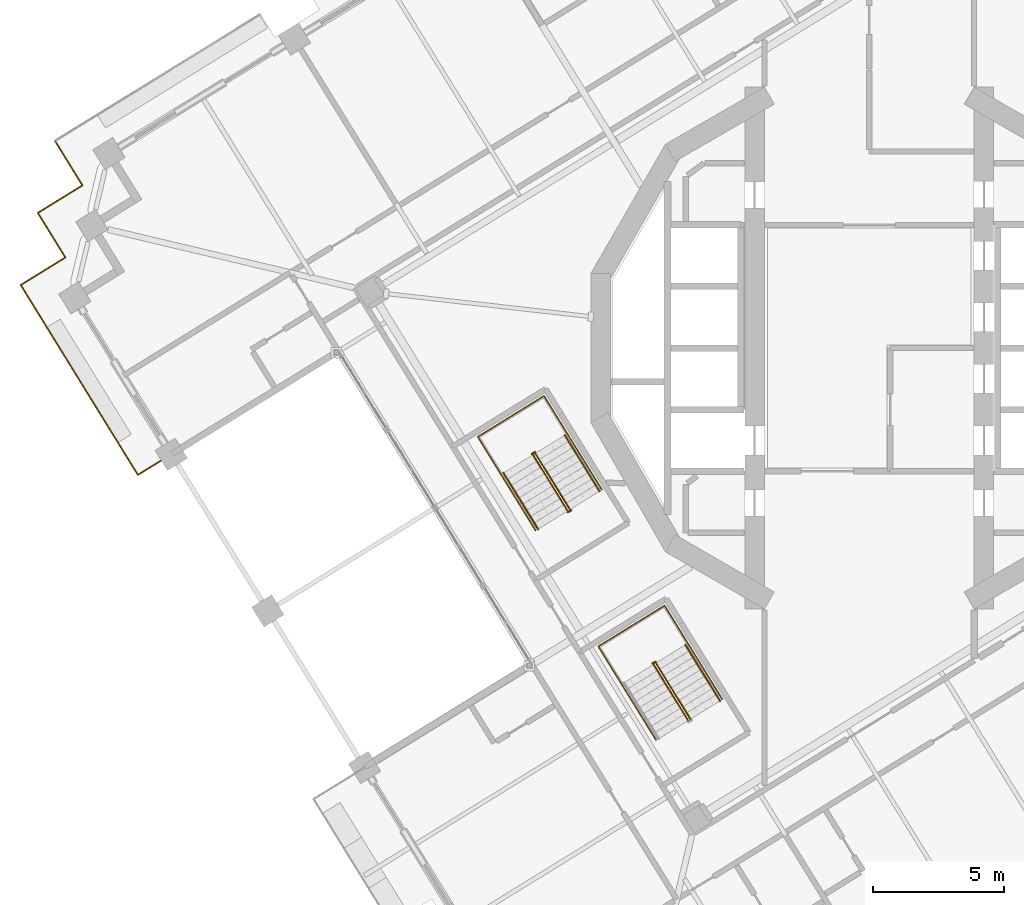
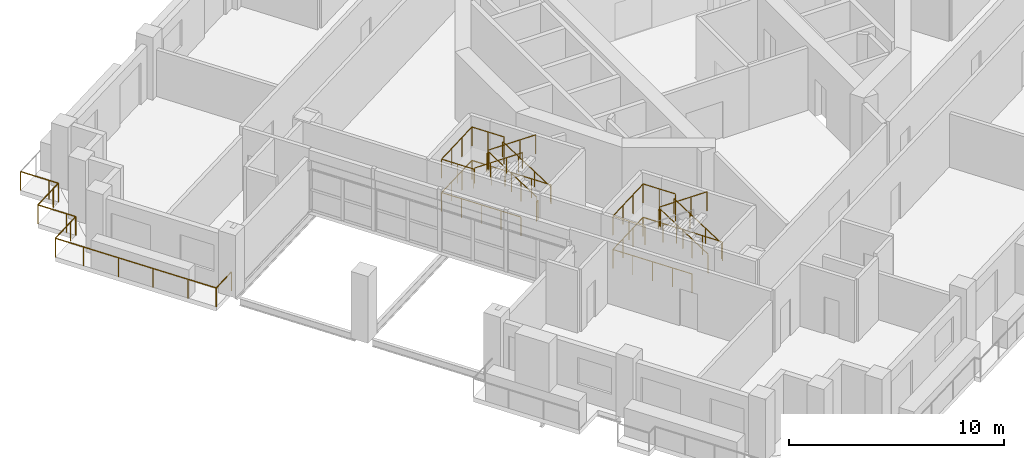
# One storey, part 14 of 20: 13 railings.
"""IFC4 building model written with IfcOpenShell, lengths in metres."""

from ifc_helpers import new_model, si_unit, direction, frame, origin, origin_2d, place, context, subcontext, project, spatial, circle, extrude, material, type_object, element, save


model = new_model("IFC4")

# Units and contexts
model_context = context("Model", 3, precision=1e-05, world=origin(), true_north=direction((0.0, 1.0)))
body_context = subcontext(model_context, "Body", "Model", "MODEL_VIEW")
ifc_project = project(units=[si_unit("LENGTHUNIT", "METRE"), si_unit("AREAUNIT", "SQUARE_METRE"), si_unit("VOLUMEUNIT", "CUBIC_METRE"), si_unit("PLANEANGLEUNIT", "RADIAN"), si_unit("MASSUNIT", "GRAM", prefix="KILO")], contexts=[model_context])

# Site, building, storey
site_placement = place(None, origin())
site = spatial("IfcSite", under=ifc_project, at=site_placement, CompositionType="ELEMENT")
building_placement = place(site_placement, origin())
building = spatial("IfcBuilding", under=site, at=building_placement, Name="Cantera Rosa Tower", CompositionType="ELEMENT")
storey_placement = place(building_placement, frame((0.0, 0.0, 155.199951171875)))
storey = spatial("IfcBuildingStorey", under=building, at=storey_placement, Name="L33", CompositionType="ELEMENT", Elevation=155.199951171875)

# Railings
ifc_material_1 = material(Name="Stainless steel and laminated glass", Category="steel")
railing_type_1 = type_object("IfcRailingType", Name="GUARD 1100", PredefinedType="BALUSTRADE", material=ifc_material_1)
railing_1_placement = place(storey_placement, frame((-26.65283203125, -4.067626953125, 0.0)))
element("IfcRailing", 1, at=railing_1_placement, inside=storey, type_object=railing_type_1, Name="GUARD L33-5", PredefinedType="BALUSTRADE", context=body_context, shape_type="SweptSolid", body=[
    extrude(circle(Radius=0.030029296875, at=origin_2d()), frame((0.0, 0.0, 1.070068359375), z_axis=(-0.851051697566, -0.525081906058, 0.0), x_axis=(0.525081906058, -0.851051697566, 0.0)), (0.0, 0.0, 1.0), 1.47998046875),
    extrude(circle(Radius=0.030029296875, at=origin_2d()), frame((-1.259521484375, -0.777099609375, 1.070068359375), z_axis=(-0.524986950369, 0.851110276017, 0.0), x_axis=(-0.851110276017, -0.524986950369, 0.0)), (0.0, 0.0, 1.0), 1.500244140625),
    extrude(circle(Radius=0.030029296875, at=origin_2d()), frame((-2.047119140625, 0.499755859375, 1.070068359375), z_axis=(-0.524968277683, 0.851121793533, 0.0), x_axis=(-0.851121793533, -0.524968277683, 0.0)), (0.0, 0.0, 1.0), 5.519775390625),
    extrude(circle(Radius=0.030029296875, at=origin_2d()), frame((-4.94482421875, 5.19775390625, 1.070068359375), z_axis=(-0.524986950369, 0.851110276017, 0.0), x_axis=(-0.851110276017, -0.524986950369, 0.0)), (0.0, 0.0, 1.0), 1.500244140625),
    extrude(circle(Radius=0.030029296875, at=origin_2d()), frame((-5.732421875, 6.474609375, 1.070068359375), z_axis=(0.85118298814, 0.524869051004, 0.0), x_axis=(-0.524869051004, 0.85118298814, 0.0)), (0.0, 0.0, 1.0), 1.5),
    extrude(circle(Radius=0.030029296875, at=origin_2d()), frame((-4.45556640625, 7.261962890625, 1.070068359375), z_axis=(0.851138143202, 0.52494176933, 0.0), x_axis=(-0.52494176933, 0.851138143202, 0.0)), (0.0, 0.0, 1.0), 0.5),
    extrude(circle(Radius=0.030029296875, at=origin_2d()), frame((-4.030029296875, 7.5244140625, 1.070068359375), z_axis=(-0.52494176933, 0.851138143202, 0.0), x_axis=(-0.851138143202, -0.52494176933, 0.0)), (0.0, 0.0, 1.0), 0.5),
    extrude(circle(Radius=0.030029296875, at=origin_2d()), frame((-4.29248046875, 7.949951171875, 1.070068359375), z_axis=(-0.524986950369, 0.851110276017, 0.0), x_axis=(-0.851110276017, -0.524986950369, 0.0)), (0.0, 0.0, 1.0), 1.500244140625),
    extrude(circle(Radius=0.030029296875, at=origin_2d()), frame((-5.080078125, 9.226806640625, 1.070068359375), z_axis=(0.851138143202, 0.52494176933, 0.0), x_axis=(-0.52494176933, 0.851138143202, 0.0)), (0.0, 0.0, 1.0), 1.5),
    extrude(circle(Radius=0.030029296875, at=origin_2d()), frame((-3.803466796875, 10.01416015625, 1.070068359375), z_axis=(0.851138143202, 0.52494176933, 0.0), x_axis=(-0.52494176933, 0.851138143202, 0.0)), (0.0, 0.0, 1.0), 0.5),
    extrude(circle(Radius=0.030029296875, at=origin_2d()), frame((-3.3779296875, 10.276611328125, 1.070068359375), z_axis=(-0.52494176933, 0.851138143202, 0.0), x_axis=(-0.851138143202, -0.52494176933, 0.0)), (0.0, 0.0, 1.0), 0.5),
    extrude(circle(Radius=0.030029296875, at=origin_2d()), frame((-3.640380859375, 10.7021484375, 1.070068359375), z_axis=(-0.524869051004, 0.85118298814, 0.0), x_axis=(-0.85118298814, -0.524869051004, 0.0)), (0.0, 0.0, 1.0), 1.5),
    extrude(circle(Radius=0.02490234375, at=origin_2d()), origin(), (0.0, 0.0, 1.0), 1.0400390625),
    extrude(circle(Radius=0.02490234375, at=origin_2d()), frame((-1.259521484375, -0.777099609375, 0.0)), (0.0, 0.0, 1.0), 1.0400390625),
    extrude(circle(Radius=0.02490234375, at=origin_2d()), frame((-2.047119140625, 0.499755859375, 0.0)), (0.0, 0.0, 1.0), 1.0400390625),
    extrude(circle(Radius=0.02490234375, at=origin_2d()), frame((-3.012939453125, 2.065673828125, 0.0)), (0.0, 0.0, 1.0), 1.0400390625),
    extrude(circle(Radius=0.02490234375, at=origin_2d()), frame((-3.97900390625, 3.6318359375, 0.0)), (0.0, 0.0, 1.0), 1.0400390625),
    extrude(circle(Radius=0.02490234375, at=origin_2d()), frame((-4.94482421875, 5.19775390625, 0.0)), (0.0, 0.0, 1.0), 1.0400390625),
    extrude(circle(Radius=0.02490234375, at=origin_2d()), frame((-5.732421875, 6.474609375, 0.0)), (0.0, 0.0, 1.0), 1.0400390625),
    extrude(circle(Radius=0.02490234375, at=origin_2d()), frame((-4.45556640625, 7.261962890625, 0.0)), (0.0, 0.0, 1.0), 1.0400390625),
    extrude(circle(Radius=0.02490234375, at=origin_2d()), frame((-4.030029296875, 7.5244140625, 0.0)), (0.0, 0.0, 1.0), 1.0400390625),
    extrude(circle(Radius=0.02490234375, at=origin_2d()), frame((-4.29248046875, 7.949951171875, 0.0)), (0.0, 0.0, 1.0), 1.0400390625),
    extrude(circle(Radius=0.02490234375, at=origin_2d()), frame((-5.080078125, 9.226806640625, 0.0)), (0.0, 0.0, 1.0), 1.0400390625),
    extrude(circle(Radius=0.02490234375, at=origin_2d()), frame((-3.803466796875, 10.01416015625, 0.0)), (0.0, 0.0, 1.0), 1.0400390625),
    extrude(circle(Radius=0.02490234375, at=origin_2d()), frame((-3.3779296875, 10.276611328125, 0.0)), (0.0, 0.0, 1.0), 1.0400390625),
    extrude(circle(Radius=0.02490234375, at=origin_2d()), frame((-3.640380859375, 10.7021484375, 0.0)), (0.0, 0.0, 1.0), 1.0400390625),
    extrude(circle(Radius=0.02490234375, at=origin_2d()), frame((-4.427734375, 11.97900390625, 0.0)), (0.0, 0.0, 1.0), 1.0400390625),
])
ifc_material_2 = material(Name="Steel S355J2 (EN 10025-2)", Category="steel")
railing_type_2 = type_object("IfcRailingType", Name="STAIR GUARD 1100", PredefinedType="GUARDRAIL", material=ifc_material_2)
railing_2_placement = place(storey_placement, frame((-11.42333984375, -6.165771484375, 0.18994140625)))
element("IfcRailing", 2, at=railing_2_placement, inside=storey, type_object=railing_type_2, Name="L33 ST-32 stair guard 1", PredefinedType="GUARDRAIL", context=body_context, shape_type="SweptSolid", body=[
    extrude(circle(Radius=0.02392578125, at=origin_2d()), frame((0.0, 0.0, 1.076171875), z_axis=(-0.434408057947, 0.704239673199, 0.561547969352), x_axis=(-0.851102330005, -0.524999832248, 0.0)), (0.0, 0.0, 1.0), 3.04541015625),
    extrude(circle(Radius=0.02392578125, at=origin_2d()), frame((-1.322998046875, 2.144775390625, 2.7861328125), z_axis=(-0.073711968402, 0.997279572494, 0.0), x_axis=(-0.997279572494, -0.073711968402, 0.0)), (0.0, 0.0, 1.0), 0.056396484375),
    extrude(circle(Radius=0.02392578125, at=origin_2d()), frame((-1.3271484375, 2.200927734375, 2.7861328125), z_axis=(-0.851546489876, -0.524279100842, 0.0), x_axis=(0.524279100842, -0.851546489876, 0.0)), (0.0, 0.0, 1.0), 0.14990234375),
    extrude(circle(Radius=0.02099609375, at=origin_2d()), origin(), (0.0, 0.0, 1.0), 1.052001953125),
    extrude(circle(Radius=0.02099609375, at=origin_2d()), frame((-0.44091796875, 0.71484375, 0.570068359375)), (0.0, 0.0, 1.0), 1.052001953125),
    extrude(circle(Radius=0.02099609375, at=origin_2d()), frame((-0.882080078125, 1.429931640625, 1.14013671875)), (0.0, 0.0, 1.0), 1.052001953125),
    extrude(circle(Radius=0.02099609375, at=origin_2d()), frame((-1.322998046875, 2.144775390625, 1.710205078125)), (0.0, 0.0, 1.0), 1.052001953125),
    extrude(circle(Radius=0.02099609375, at=origin_2d()), frame((-1.3271484375, 2.200927734375, 1.710205078125)), (0.0, 0.0, 1.0), 1.052001953125),
    extrude(circle(Radius=0.02099609375, at=origin_2d()), frame((-1.454833984375, 2.122314453125, 1.710205078125)), (0.0, 0.0, 1.0), 1.052001953125),
])
railing_3_placement = place(storey_placement, frame((-12.82958984375, -4.072509765625, 2.090087890625)))
element("IfcRailing", 3, at=railing_3_placement, inside=storey, type_object=railing_type_2, Name="L33 ST-32 stair guard 2", PredefinedType="GUARDRAIL", context=body_context, shape_type="SweptSolid", body=[
    extrude(circle(Radius=0.02392578125, at=origin_2d()), frame((0.0, 0.0, 1.076171875), z_axis=(0.434362572038, -0.70429590169, 0.561512634654), x_axis=(0.851145618652, 0.524929648476, 0.0)), (0.0, 0.0, 1.0), 3.045166015625),
    extrude(circle(Radius=0.02099609375, at=origin_2d()), origin(), (0.0, 0.0, 1.0), 1.052001953125),
    extrude(circle(Radius=0.02099609375, at=origin_2d()), frame((0.44091796875, -0.71484375, 0.570068359375)), (0.0, 0.0, 1.0), 1.052001953125),
    extrude(circle(Radius=0.02099609375, at=origin_2d()), frame((0.8818359375, -1.429931640625, 1.139892578125)), (0.0, 0.0, 1.0), 1.052001953125),
    extrude(circle(Radius=0.02099609375, at=origin_2d()), frame((1.32275390625, -2.144775390625, 1.7099609375)), (0.0, 0.0, 1.0), 1.052001953125),
])
railing_4_placement = place(storey_placement, frame((-11.375, -6.19482421875, 0.0)))
element("IfcRailing", 4, at=railing_4_placement, inside=storey, type_object=railing_type_2, Name="L33 ST-32 stair guard 3", PredefinedType="GUARDRAIL", context=body_context, shape_type="SweptSolid", body=[
    extrude(circle(Radius=0.02392578125, at=origin_2d()), frame((0.0, 0.0, 1.076171875), z_axis=(-0.851546489876, -0.524279100842, 0.0), x_axis=(0.524279100842, -0.851546489876, 0.0)), (0.0, 0.0, 1.0), 0.14990234375),
    extrude(circle(Radius=0.02099609375, at=origin_2d()), origin(), (0.0, 0.0, 1.0), 1.052001953125),
    extrude(circle(Radius=0.02099609375, at=origin_2d()), frame((-0.127685546875, -0.07861328125, 0.0)), (0.0, 0.0, 1.0), 1.052001953125),
])
railing_5_placement = place(storey_placement, frame((-10.20751953125, -5.40185546875, 0.0)))
element("IfcRailing", 5, at=railing_5_placement, inside=storey, type_object=railing_type_2, Name="L33 ST-32 stair guard 4", PredefinedType="GUARDRAIL", context=body_context, shape_type="SweptSolid", body=[
    extrude(circle(Radius=0.02392578125, at=origin_2d()), frame((0.0, 0.0, 1.076171875), z_axis=(-0.524976478809, 0.851116735059, 0.0), x_axis=(-0.851116735059, -0.524976478809, 0.0)), (0.0, 0.0, 1.0), 4.197998046875),
    extrude(circle(Radius=0.02392578125, at=origin_2d()), frame((-2.203857421875, 3.572998046875, 1.076171875), z_axis=(-0.851132917336, -0.524950242429, 0.0), x_axis=(0.524950242429, -0.851132917336, 0.0)), (0.0, 0.0, 1.0), 2.969970703125),
    extrude(circle(Radius=0.02392578125, at=origin_2d()), frame((-4.731689453125, 2.013916015625, 1.076171875), z_axis=(0.524976478809, -0.851116735059, 0.0), x_axis=(0.851116735059, 0.524976478809, 0.0)), (0.0, 0.0, 1.0), 4.197998046875),
    extrude(circle(Radius=0.02099609375, at=origin_2d()), origin(), (0.0, 0.0, 1.0), 1.052001953125),
    extrude(circle(Radius=0.02099609375, at=origin_2d()), frame((-0.551025390625, 0.893310546875, 0.0)), (0.0, 0.0, 1.0), 1.052001953125),
    extrude(circle(Radius=0.02099609375, at=origin_2d()), frame((-1.10205078125, 1.78662109375, 0.0)), (0.0, 0.0, 1.0), 1.052001953125),
    extrude(circle(Radius=0.02099609375, at=origin_2d()), frame((-1.65283203125, 2.6796875, 0.0)), (0.0, 0.0, 1.0), 1.052001953125),
    extrude(circle(Radius=0.02099609375, at=origin_2d()), frame((-2.203857421875, 3.572998046875, 0.0)), (0.0, 0.0, 1.0), 1.052001953125),
    extrude(circle(Radius=0.02099609375, at=origin_2d()), frame((-3.04638671875, 3.05322265625, 0.0)), (0.0, 0.0, 1.0), 1.052001953125),
    extrude(circle(Radius=0.02099609375, at=origin_2d()), frame((-3.88916015625, 2.53369140625, 0.0)), (0.0, 0.0, 1.0), 1.052001953125),
    extrude(circle(Radius=0.02099609375, at=origin_2d()), frame((-4.731689453125, 2.013916015625, 0.0)), (0.0, 0.0, 1.0), 1.052001953125),
    extrude(circle(Radius=0.02099609375, at=origin_2d()), frame((-4.1806640625, 1.12060546875, 0.0)), (0.0, 0.0, 1.0), 1.052001953125),
    extrude(circle(Radius=0.02099609375, at=origin_2d()), frame((-3.6298828125, 0.2275390625, 0.0)), (0.0, 0.0, 1.0), 1.052001953125),
    extrude(circle(Radius=0.02099609375, at=origin_2d()), frame((-3.078857421875, -0.665771484375, 0.0)), (0.0, 0.0, 1.0), 1.052001953125),
    extrude(circle(Radius=0.02099609375, at=origin_2d()), frame((-2.52783203125, -1.55908203125, 0.0)), (0.0, 0.0, 1.0), 1.052001953125),
])
railing_6_placement = place(storey_placement, frame((-11.517822265625, -3.27734375, 1.900146484375)))
element("IfcRailing", 6, at=railing_6_placement, inside=storey, type_object=railing_type_2, Name="L33 ST-32 stair guard 5", PredefinedType="GUARDRAIL", context=body_context, shape_type="SweptSolid", body=[
    extrude(circle(Radius=0.02392578125, at=origin_2d()), frame((0.0, 0.0, 1.076171875), z_axis=(-0.525025534833, 0.851086474909, 0.0), x_axis=(-0.851086474909, -0.525025534833, 0.0)), (0.0, 0.0, 1.0), 1.701904296875),
    extrude(circle(Radius=0.02392578125, at=origin_2d()), frame((-0.8935546875, 1.448486328125, 1.076171875), z_axis=(-0.851132917336, -0.524950242429, 0.0), x_axis=(0.524950242429, -0.851132917336, 0.0)), (0.0, 0.0, 1.0), 2.969970703125),
    extrude(circle(Radius=0.02392578125, at=origin_2d()), frame((-3.42138671875, -0.110595703125, 1.076171875), z_axis=(0.524961441845, -0.851126009811, 0.0), x_axis=(0.851126009811, 0.524961441845, 0.0)), (0.0, 0.0, 1.0), 1.7021484375),
    extrude(circle(Radius=0.02099609375, at=origin_2d()), origin(), (0.0, 0.0, 1.0), 1.052001953125),
    extrude(circle(Radius=0.02099609375, at=origin_2d()), frame((-0.44677734375, 0.72412109375, 0.0)), (0.0, 0.0, 1.0), 1.052001953125),
    extrude(circle(Radius=0.02099609375, at=origin_2d()), frame((-0.8935546875, 1.448486328125, 0.0)), (0.0, 0.0, 1.0), 1.052001953125),
    extrude(circle(Radius=0.02099609375, at=origin_2d()), frame((-1.736083984375, 0.9287109375, 0.0)), (0.0, 0.0, 1.0), 1.052001953125),
    extrude(circle(Radius=0.02099609375, at=origin_2d()), frame((-2.578857421875, 0.4091796875, 0.0)), (0.0, 0.0, 1.0), 1.052001953125),
    extrude(circle(Radius=0.02099609375, at=origin_2d()), frame((-3.42138671875, -0.110595703125, 0.0)), (0.0, 0.0, 1.0), 1.052001953125),
    extrude(circle(Radius=0.02099609375, at=origin_2d()), frame((-2.974609375, -0.8349609375, 0.0)), (0.0, 0.0, 1.0), 1.052001953125),
    extrude(circle(Radius=0.02099609375, at=origin_2d()), frame((-2.52783203125, -1.559326171875, 0.0)), (0.0, 0.0, 1.0), 1.052001953125),
])
railing_7_placement = place(storey_placement, frame((-6.8232421875, -14.165771484375, 0.18994140625)))
element("IfcRailing", 7, at=railing_7_placement, inside=storey, type_object=railing_type_2, Name="L33 ST-33 stair guard 1", PredefinedType="GUARDRAIL", context=body_context, shape_type="SweptSolid", body=[
    extrude(circle(Radius=0.02392578125, at=origin_2d()), frame((0.0, 0.0, 1.076171875), z_axis=(-0.434408057947, 0.704239673199, 0.561547969352), x_axis=(-0.851102330005, -0.524999832248, 0.0)), (0.0, 0.0, 1.0), 3.04541015625),
    extrude(circle(Radius=0.02392578125, at=origin_2d()), frame((-1.322998046875, 2.144775390625, 2.7861328125), z_axis=(-0.073711968402, 0.997279572494, 0.0), x_axis=(-0.997279572494, -0.073711968402, 0.0)), (0.0, 0.0, 1.0), 0.056396484375),
    extrude(circle(Radius=0.02392578125, at=origin_2d()), frame((-1.3271484375, 2.200927734375, 2.7861328125), z_axis=(-0.851546489876, -0.524279100842, 0.0), x_axis=(0.524279100842, -0.851546489876, 0.0)), (0.0, 0.0, 1.0), 0.14990234375),
    extrude(circle(Radius=0.02099609375, at=origin_2d()), origin(), (0.0, 0.0, 1.0), 1.052001953125),
    extrude(circle(Radius=0.02099609375, at=origin_2d()), frame((-0.44091796875, 0.71484375, 0.570068359375)), (0.0, 0.0, 1.0), 1.052001953125),
    extrude(circle(Radius=0.02099609375, at=origin_2d()), frame((-0.882080078125, 1.429931640625, 1.14013671875)), (0.0, 0.0, 1.0), 1.052001953125),
    extrude(circle(Radius=0.02099609375, at=origin_2d()), frame((-1.322998046875, 2.144775390625, 1.710205078125)), (0.0, 0.0, 1.0), 1.052001953125),
    extrude(circle(Radius=0.02099609375, at=origin_2d()), frame((-1.3271484375, 2.200927734375, 1.710205078125)), (0.0, 0.0, 1.0), 1.052001953125),
    extrude(circle(Radius=0.02099609375, at=origin_2d()), frame((-1.454833984375, 2.122314453125, 1.710205078125)), (0.0, 0.0, 1.0), 1.052001953125),
])
railing_8_placement = place(storey_placement, frame((-8.229736328125, -12.072509765625, 2.090087890625)))
element("IfcRailing", 8, at=railing_8_placement, inside=storey, type_object=railing_type_2, Name="L33 ST-33 stair guard 2", PredefinedType="GUARDRAIL", context=body_context, shape_type="SweptSolid", body=[
    extrude(circle(Radius=0.02392578125, at=origin_2d()), frame((0.0, 0.0, 1.076171875), z_axis=(0.434427613125, -0.704271375033, 0.561493080334), x_axis=(0.851102330005, 0.524999832248, 0.0)), (0.0, 0.0, 1.0), 3.04541015625),
    extrude(circle(Radius=0.02099609375, at=origin_2d()), origin(), (0.0, 0.0, 1.0), 1.052001953125),
    extrude(circle(Radius=0.02099609375, at=origin_2d()), frame((0.44091796875, -0.71484375, 0.570068359375)), (0.0, 0.0, 1.0), 1.052001953125),
    extrude(circle(Radius=0.02099609375, at=origin_2d()), frame((0.882080078125, -1.429931640625, 1.139892578125)), (0.0, 0.0, 1.0), 1.052001953125),
    extrude(circle(Radius=0.02099609375, at=origin_2d()), frame((1.322998046875, -2.144775390625, 1.7099609375)), (0.0, 0.0, 1.0), 1.052001953125),
])
railing_9_placement = place(storey_placement, frame((-5.607421875, -13.40185546875, 0.0)))
element("IfcRailing", 9, at=railing_9_placement, inside=storey, type_object=railing_type_2, Name="L33 ST-33 stair guard 4", PredefinedType="GUARDRAIL", context=body_context, shape_type="SweptSolid", body=[
    extrude(circle(Radius=0.02392578125, at=origin_2d()), frame((0.0, 0.0, 1.076171875), z_axis=(-0.524976478809, 0.851116735059, 0.0), x_axis=(-0.851116735059, -0.524976478809, 0.0)), (0.0, 0.0, 1.0), 4.197998046875),
    extrude(circle(Radius=0.02392578125, at=origin_2d()), frame((-2.203857421875, 3.572998046875, 1.076171875), z_axis=(-0.851132917336, -0.524950242429, 0.0), x_axis=(0.524950242429, -0.851132917336, 0.0)), (0.0, 0.0, 1.0), 2.969970703125),
    extrude(circle(Radius=0.02392578125, at=origin_2d()), frame((-4.731689453125, 2.013916015625, 1.076171875), z_axis=(0.524976478809, -0.851116735059, 0.0), x_axis=(0.851116735059, 0.524976478809, 0.0)), (0.0, 0.0, 1.0), 4.197998046875),
    extrude(circle(Radius=0.02099609375, at=origin_2d()), origin(), (0.0, 0.0, 1.0), 1.052001953125),
    extrude(circle(Radius=0.02099609375, at=origin_2d()), frame((-0.551025390625, 0.893310546875, 0.0)), (0.0, 0.0, 1.0), 1.052001953125),
    extrude(circle(Radius=0.02099609375, at=origin_2d()), frame((-1.10205078125, 1.78662109375, 0.0)), (0.0, 0.0, 1.0), 1.052001953125),
    extrude(circle(Radius=0.02099609375, at=origin_2d()), frame((-1.65283203125, 2.6796875, 0.0)), (0.0, 0.0, 1.0), 1.052001953125),
    extrude(circle(Radius=0.02099609375, at=origin_2d()), frame((-2.203857421875, 3.572998046875, 0.0)), (0.0, 0.0, 1.0), 1.052001953125),
    extrude(circle(Radius=0.02099609375, at=origin_2d()), frame((-3.04638671875, 3.05322265625, 0.0)), (0.0, 0.0, 1.0), 1.052001953125),
    extrude(circle(Radius=0.02099609375, at=origin_2d()), frame((-3.88916015625, 2.53369140625, 0.0)), (0.0, 0.0, 1.0), 1.052001953125),
    extrude(circle(Radius=0.02099609375, at=origin_2d()), frame((-4.731689453125, 2.013916015625, 0.0)), (0.0, 0.0, 1.0), 1.052001953125),
    extrude(circle(Radius=0.02099609375, at=origin_2d()), frame((-4.1806640625, 1.12060546875, 0.0)), (0.0, 0.0, 1.0), 1.052001953125),
    extrude(circle(Radius=0.02099609375, at=origin_2d()), frame((-3.6298828125, 0.2275390625, 0.0)), (0.0, 0.0, 1.0), 1.052001953125),
    extrude(circle(Radius=0.02099609375, at=origin_2d()), frame((-3.078857421875, -0.665771484375, 0.0)), (0.0, 0.0, 1.0), 1.052001953125),
    extrude(circle(Radius=0.02099609375, at=origin_2d()), frame((-2.52783203125, -1.55908203125, 0.0)), (0.0, 0.0, 1.0), 1.052001953125),
])
railing_10_placement = place(storey_placement, frame((-6.917724609375, -11.27734375, 1.900146484375)))
element("IfcRailing", 10, at=railing_10_placement, inside=storey, type_object=railing_type_2, Name="L33 ST-33 stair guard 5", PredefinedType="GUARDRAIL", context=body_context, shape_type="SweptSolid", body=[
    extrude(circle(Radius=0.02392578125, at=origin_2d()), frame((0.0, 0.0, 1.076171875), z_axis=(-0.525025534833, 0.851086474909, 0.0), x_axis=(-0.851086474909, -0.525025534833, 0.0)), (0.0, 0.0, 1.0), 1.701904296875),
    extrude(circle(Radius=0.02392578125, at=origin_2d()), frame((-0.8935546875, 1.448486328125, 1.076171875), z_axis=(-0.851132917336, -0.524950242429, 0.0), x_axis=(0.524950242429, -0.851132917336, 0.0)), (0.0, 0.0, 1.0), 2.969970703125),
    extrude(circle(Radius=0.02392578125, at=origin_2d()), frame((-3.42138671875, -0.110595703125, 1.076171875), z_axis=(0.524961441845, -0.851126009811, 0.0), x_axis=(0.851126009811, 0.524961441845, 0.0)), (0.0, 0.0, 1.0), 1.7021484375),
    extrude(circle(Radius=0.02099609375, at=origin_2d()), origin(), (0.0, 0.0, 1.0), 1.052001953125),
    extrude(circle(Radius=0.02099609375, at=origin_2d()), frame((-0.44677734375, 0.72412109375, 0.0)), (0.0, 0.0, 1.0), 1.052001953125),
    extrude(circle(Radius=0.02099609375, at=origin_2d()), frame((-0.8935546875, 1.448486328125, 0.0)), (0.0, 0.0, 1.0), 1.052001953125),
    extrude(circle(Radius=0.02099609375, at=origin_2d()), frame((-1.736083984375, 0.9287109375, 0.0)), (0.0, 0.0, 1.0), 1.052001953125),
    extrude(circle(Radius=0.02099609375, at=origin_2d()), frame((-2.578857421875, 0.4091796875, 0.0)), (0.0, 0.0, 1.0), 1.052001953125),
    extrude(circle(Radius=0.02099609375, at=origin_2d()), frame((-3.42138671875, -0.110595703125, 0.0)), (0.0, 0.0, 1.0), 1.052001953125),
    extrude(circle(Radius=0.02099609375, at=origin_2d()), frame((-2.974609375, -0.8349609375, 0.0)), (0.0, 0.0, 1.0), 1.052001953125),
    extrude(circle(Radius=0.02099609375, at=origin_2d()), frame((-2.52783203125, -1.559326171875, 0.0)), (0.0, 0.0, 1.0), 1.052001953125),
])
ifc_material_3 = material(Name="Steel S355J2 (EN 10025-2)", Category="steel")
railing_type_3 = type_object("IfcRailingType", Name="STAIR HANDRAIL 900", PredefinedType="HANDRAIL", material=ifc_material_3)
railing_11_placement = place(storey_placement, frame((-10.294677734375, -5.4697265625, 0.18994140625)))
element("IfcRailing", 11, at=railing_11_placement, inside=storey, type_object=railing_type_3, Name="L33 ST-32 stair handrail 1", PredefinedType="HANDRAIL", context=body_context, shape_type="SweptSolid", body=[
    extrude(circle(Radius=0.02392578125, at=origin_2d()), frame((0.0, 0.0, 0.8759765625), z_axis=(-0.434408057947, 0.704239673199, 0.561547969352), x_axis=(-0.851102330005, -0.524999832248, 0.0)), (0.0, 0.0, 1.0), 3.04541015625),
    extrude(circle(Radius=0.02099609375, at=origin_2d()), origin(), (0.0, 0.0, 1.0), 0.851806640625),
    extrude(circle(Radius=0.02099609375, at=origin_2d()), frame((-0.44091796875, 0.71484375, 0.570068359375)), (0.0, 0.0, 1.0), 0.851806640625),
    extrude(circle(Radius=0.02099609375, at=origin_2d()), frame((-0.882080078125, 1.429931640625, 1.14013671875)), (0.0, 0.0, 1.0), 0.851806640625),
    extrude(circle(Radius=0.02099609375, at=origin_2d()), frame((-1.322998046875, 2.144775390625, 1.710205078125)), (0.0, 0.0, 1.0), 0.851806640625),
])
railing_12_placement = place(storey_placement, frame((-13.958251953125, -4.7685546875, 2.090087890625)))
element("IfcRailing", 12, at=railing_12_placement, inside=storey, type_object=railing_type_3, Name="L33 ST-32 stair handrail 2", PredefinedType="HANDRAIL", context=body_context, shape_type="SweptSolid", body=[
    extrude(circle(Radius=0.02392578125, at=origin_2d()), frame((0.0, 0.0, 0.8759765625), z_axis=(0.434427613125, -0.704271375033, 0.561493080334), x_axis=(0.851102330005, 0.524999832248, 0.0)), (0.0, 0.0, 1.0), 3.04541015625),
    extrude(circle(Radius=0.02099609375, at=origin_2d()), origin(), (0.0, 0.0, 1.0), 0.851806640625),
    extrude(circle(Radius=0.02099609375, at=origin_2d()), frame((0.44091796875, -0.71484375, 0.570068359375)), (0.0, 0.0, 1.0), 0.851806640625),
    extrude(circle(Radius=0.02099609375, at=origin_2d()), frame((0.882080078125, -1.429931640625, 1.139892578125)), (0.0, 0.0, 1.0), 0.851806640625),
    extrude(circle(Radius=0.02099609375, at=origin_2d()), frame((1.322998046875, -2.144775390625, 1.7099609375)), (0.0, 0.0, 1.0), 0.851806640625),
])
railing_13_placement = place(storey_placement, frame((-5.69482421875, -13.4697265625, 0.18994140625)))
element("IfcRailing", 13, at=railing_13_placement, inside=storey, type_object=railing_type_3, Name="L33 ST-33 stair handrail 1", PredefinedType="HANDRAIL", context=body_context, shape_type="SweptSolid", body=[
    extrude(circle(Radius=0.02392578125, at=origin_2d()), frame((0.0, 0.0, 0.8759765625), z_axis=(-0.434343018426, 0.704264196543, 0.561567523823), x_axis=(-0.851145618652, -0.524929648476, 0.0)), (0.0, 0.0, 1.0), 3.04541015625),
    extrude(circle(Radius=0.02099609375, at=origin_2d()), origin(), (0.0, 0.0, 1.0), 0.851806640625),
    extrude(circle(Radius=0.02099609375, at=origin_2d()), frame((-0.44091796875, 0.71484375, 0.570068359375)), (0.0, 0.0, 1.0), 0.851806640625),
    extrude(circle(Radius=0.02099609375, at=origin_2d()), frame((-0.8818359375, 1.429931640625, 1.14013671875)), (0.0, 0.0, 1.0), 0.851806640625),
    extrude(circle(Radius=0.02099609375, at=origin_2d()), frame((-1.32275390625, 2.144775390625, 1.710205078125)), (0.0, 0.0, 1.0), 0.851806640625),
])

save(model, "model.ifc")
